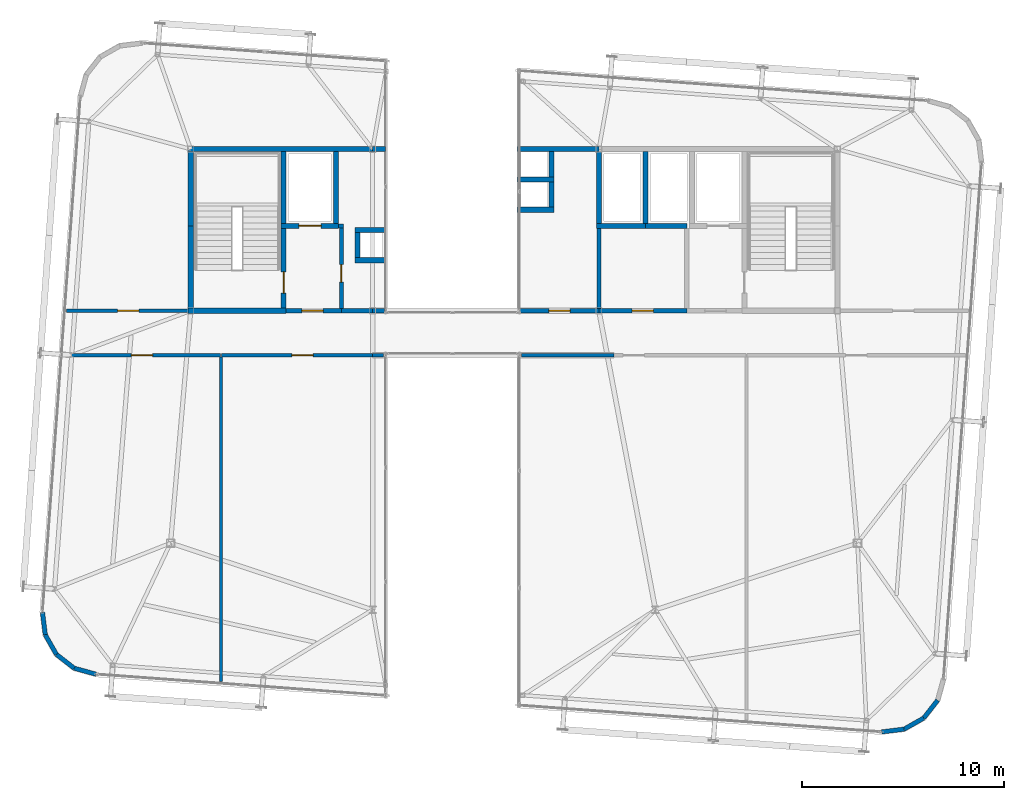
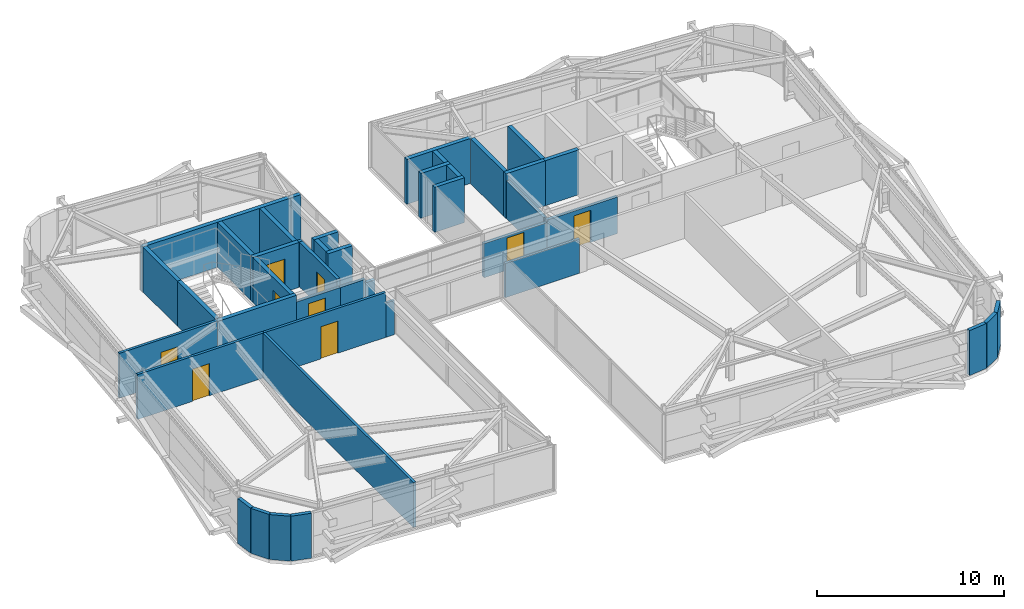
# One storey, part 36 of 39: 42 walls, 9 doors, 9 openings.
"""IFC4 building model written with IfcOpenShell, lengths in metres."""

from ifc_helpers import new_model, si_unit, direction, frame, frame_2d, origin, place, context, subcontext, project, spatial, rectangle, extrude, source, transform, mapped, material, layer, layer_set, type_object, element, fill, save


model = new_model("IFC4")

# Units and contexts
model_context = context("Model", 3, precision=1e-05, world=origin(), true_north=direction((0.0, 1.0)))
body_context = subcontext(model_context, "Body", "Model", "MODEL_VIEW")
ifc_project = project(units=[si_unit("LENGTHUNIT", "METRE"), si_unit("AREAUNIT", "SQUARE_METRE"), si_unit("VOLUMEUNIT", "CUBIC_METRE"), si_unit("PLANEANGLEUNIT", "RADIAN"), si_unit("MASSUNIT", "GRAM", prefix="KILO")], contexts=[model_context])

# Site, building, storey
site_placement = place(None, origin())
site = spatial("IfcSite", under=ifc_project, at=site_placement, CompositionType="ELEMENT")
building_placement = place(site_placement, origin())
building = spatial("IfcBuilding", under=site, at=building_placement, Name="Taldren Reach Tower", CompositionType="ELEMENT")
storey_placement = place(building_placement, frame((0.0, 0.0, 230.300048828125)))
storey = spatial("IfcBuildingStorey", under=building, at=storey_placement, Name="L70", CompositionType="ELEMENT", Elevation=230.300048828125)

# Walls
ifc_material_1 = material(Name="Pale Champagne Anodised Aluminium Cladding", Category="aluminium")
ifc_layer_1 = layer(ifc_material_1, 0.04, Name="Pale Champagne Anodised Aluminium Cladding", Category="aluminium")
ifc_material_2 = material(Name="Mineral Wool Acoustic Insulation", Category="insulation")
ifc_layer_2 = layer(ifc_material_2, 0.06, Name="Mineral Wool Acoustic Insulation", Category="insulation")
ifc_material_3 = material(Name="Steel Gr 350 (C350L0)", Category="steel")
ifc_layer_3 = layer(ifc_material_3, 0.12, Name="Steel Gr 350 (C350L0)", Category="steel")
ifc_layer_set_1 = layer_set([ifc_layer_1, ifc_layer_2, ifc_layer_3], Name="Pale Champagne Aluminium Cladding and Steel Gr 350 Stud Framing")
wall_type_1 = type_object("IfcWallType", Name="EW-CRN-220", PredefinedType="SOLIDWALL", material=ifc_layer_set_1)
shared_shape_1 = source(origin(), body_context, "Body", "SweptSolid", [
    extrude(rectangle(XDim=1.115966796875, YDim=0.219970703125, at=frame_2d((0.55810546875, 0.0))), origin(), (0.0, 0.0, 1.0), 2.929931640625),
])
for number, where, z_axis, x_axis, name in (
    (1, (53.20068359375, 3.15380859375, 0.0), (0.0, 0.0, 1.0), (0.992438604032, 0.122742076028, 0.0), "Rounded-corner pale-metal facade wall L70-SE1"),
    (2, (55.279052734375, 3.84130859375, 0.0), (0.0, 0.0, 1.0), (0.615015475096, 0.788515038152, 0.0), "Rounded-corner pale-metal facade wall L70-SE3"),
    (3, (11.66259765625, 9.072021484375, 0.0), (0.0, 0.0, 1.0), (0.122742076028, -0.992438604032, 0.0), "Rounded-corner pale-metal facade wall L70-SW1"),
    (4, (11.799560546875, 7.964599609375, 0.0), (0.0, 0.0, 1.0), (0.493073284892, -0.869987779067, 0.0), "Rounded-corner pale-metal facade wall L70-SW2"),
    (5, (12.349853515625, 6.99365234375, 0.0), (0.0, 0.0, 1.0), (0.788597772321, -0.614909386406, 0.0), "Rounded-corner pale-metal facade wall L70-SW3"),
):
    element("IfcWall", number, at=place(storey_placement, frame(where, z_axis=z_axis, x_axis=x_axis)), inside=storey, type_object=wall_type_1, Name=name, PredefinedType="SOLIDWALL", context=body_context, shape_type="MappedRepresentation", body=[
        mapped(shared_shape_1, transform((0.0, 0.0, 0.0), scale=1.0)),
    ])
shared_shape_2 = source(origin(), body_context, "Body", "SweptSolid", [
    extrude(rectangle(XDim=1.11572265625, YDim=0.219970703125, at=frame_2d((0.557861328125, 0.0))), origin(), (0.0, 0.0, 1.0), 2.929931640625),
])
wall_1_placement = place(storey_placement, frame((13.22998046875, 6.307373046875, 0.0), z_axis=(0.0, 0.0, 1.0), x_axis=(0.963890028874, -0.266300605026, 0.0)))
element("IfcWall", 6, at=wall_1_placement, inside=storey, type_object=wall_type_1, Name="Rounded-corner pale-metal facade wall L70-SW4", PredefinedType="SOLIDWALL", context=body_context, shape_type="MappedRepresentation", body=[
    mapped(shared_shape_2, transform((0.0, 0.0, 0.0), scale=1.0)),
])
shared_shape_3 = source(origin(), body_context, "Body", "SweptSolid", [
    extrude(rectangle(XDim=1.1162109375, YDim=0.219970703125, at=frame_2d((0.55810546875, 0.0))), origin(), (0.0, 0.0, 1.0), 2.929931640625),
])
wall_2_placement = place(storey_placement, frame((54.30810546875, 3.290771484375, 0.0), z_axis=(0.0, 0.0, 1.0), x_axis=(0.869893934693, 0.49323882895, 0.0)))
element("IfcWall", 7, at=wall_2_placement, inside=storey, type_object=wall_type_1, Name="Rounded-corner pale-metal facade wall L70-SE2", PredefinedType="SOLIDWALL", context=body_context, shape_type="MappedRepresentation", body=[
    mapped(shared_shape_3, transform((0.0, 0.0, 0.0), scale=1.0)),
])

# Wall, opening, door
ifc_material_4 = material(Name="Concrete S50 (50 MPa)", Category="concrete")
ifc_layer_4 = layer(ifc_material_4, 0.199951171875)
ifc_layer_set_2 = layer_set([ifc_layer_4], Name="Concrete S50 (50 MPa)")
wall_type_2 = type_object("IfcWallType", Name="IW-CORE-200", PredefinedType="SOLIDWALL", material=ifc_layer_set_2)
shared_shape_4 = source(origin(), body_context, "Body", "SweptSolid", [
    extrude(rectangle(XDim=4.35009765625, YDim=0.199951171875, at=frame_2d((2.175048828125, 0.0))), origin(), (0.0, 0.0, 1.0), 2.39697265625),
])
wall_3_placement = place(storey_placement, frame((43.550048828125, 24.0, 0.0), z_axis=(0.0, 0.0, 1.0), x_axis=(-1.0, 0.0, 0.0)))
wall_3 = element("IfcWall", 8, at=wall_3_placement, inside=storey, type_object=wall_type_2, Name="Rear Core Shear Wall W-INT-L70-029", PredefinedType="SOLIDWALL", context=body_context, shape_type="MappedRepresentation", body=[
    mapped(shared_shape_4, transform((0.0, 0.0, 0.0), scale=1.0)),
])
shared_shape_5 = source(origin(), body_context, "Body", "SweptSolid", [
    extrude(rectangle(XDim=1.050048828125, YDim=2.10009765625, at=frame_2d((0.52490234375, 1.050048828125))), frame((0.0, 0.10986328125, 0.0), z_axis=(0.0, -1.0, 0.0), x_axis=(1.0, 0.0, 0.0)), (0.0, 0.0, 1.0), 0.219970703125),
])
opening_1_placement = place(wall_3_placement, frame((1.64990234375, 0.0, 0.0)))
opening_1 = element("IfcOpeningElement", 9, at=opening_1_placement, cuts=wall_3, Name="Opening DF-105", PredefinedType="OPENING", context=body_context, shape_type="MappedRepresentation", body=[
    mapped(shared_shape_5, transform((0.0, 0.0, 0.0), scale=1.0)),
])
ifc_material_5 = material(Name="Fire-Rated Care and Stair Exit Door")
door_type_1 = type_object("IfcDoorType", Name="ID-FIRE-105", OperationType="NOTDEFINED", PredefinedType="DOOR", material=ifc_material_5)
shared_shape_6 = source(origin(), body_context, "Body", "SweptSolid", [
    extrude(rectangle(XDim=1.050048828125, YDim=2.10009765625, at=frame_2d((0.52490234375, 1.050048828125))), frame((0.0, 0.02490234375, 0.0), z_axis=(0.0, -1.0, 0.0), x_axis=(1.0, 0.0, 0.0)), (0.0, 0.0, 1.0), 0.050048828125),
])
door_1_placement = place(opening_1_placement, frame((1.050048828125, 0.0, 0.0), z_axis=(0.0, 0.0, 1.0), x_axis=(-1.0, 0.0, 0.0)))
door_1 = element("IfcDoor", 10, at=door_1_placement, inside=storey, type_object=door_type_1, Name="Interior Door DR-L70-006", OperationType="SINGLE_SWING_RIGHT", OverallHeight=2.10009765625, OverallWidth=1.050048828125, PredefinedType="DOOR", context=body_context, shape_type="MappedRepresentation", body=[
    mapped(shared_shape_6, transform((0.0, 0.0, 0.0), scale=1.0)),
])
fill(opening_1, door_1)

shared_shape_7 = source(origin(), body_context, "Body", "SweptSolid", [
    extrude(rectangle(XDim=4.0, YDim=0.199951171875, at=frame_2d((2.0, 0.0))), origin(), (0.0, 0.0, 1.0), 2.929931640625),
])
wall_4_placement = place(storey_placement, frame((26.449951171875, 24.10009765625, 0.0), z_axis=(0.0, 0.0, 1.0), x_axis=(0.0, 1.0, 0.0)))
wall_4 = element("IfcWall", 11, at=wall_4_placement, inside=storey, type_object=wall_type_2, Name="Rear Core Shear Wall W-INT-L70-006", PredefinedType="SOLIDWALL", context=body_context, shape_type="MappedRepresentation", body=[
    mapped(shared_shape_7, transform((0.0, 0.0, 0.0), scale=1.0)),
])
shared_shape_8 = source(origin(), body_context, "Body", "SweptSolid", [
    extrude(rectangle(XDim=0.860107421875, YDim=2.10009765625, at=frame_2d((0.43017578125, 1.050048828125))), frame((0.0, 0.10986328125, 0.0), z_axis=(0.0, -1.0, 0.0), x_axis=(1.0, 0.0, 0.0)), (0.0, 0.0, 1.0), 0.219970703125),
])
opening_2_placement = place(wall_4_placement, frame((1.320068359375, 0.0, 0.0)))
opening_2 = element("IfcOpeningElement", 12, at=opening_2_placement, cuts=wall_4, Name="Opening DI-086", PredefinedType="OPENING", context=body_context, shape_type="MappedRepresentation", body=[
    mapped(shared_shape_8, transform((0.0, 0.0, 0.0), scale=1.0)),
])
ifc_material_6 = material(Name="Timber Bathroom Door", Category="wood")
door_type_2 = type_object("IfcDoorType", Name="ID-INT-086", OperationType="NOTDEFINED", PredefinedType="DOOR", material=ifc_material_6)
shared_shape_9 = source(origin(), body_context, "Body", "SweptSolid", [
    extrude(rectangle(XDim=0.860107421875, YDim=2.10009765625, at=frame_2d((0.43017578125, 1.050048828125))), frame((0.0, 0.02490234375, 0.0), z_axis=(0.0, -1.0, 0.0), x_axis=(1.0, 0.0, 0.0)), (0.0, 0.0, 1.0), 0.050048828125),
])
door_2_placement = place(opening_2_placement, frame((0.860107421875, 0.0, 0.0), z_axis=(0.0, 0.0, 1.0), x_axis=(-1.0, 0.0, 0.0)))
door_2 = element("IfcDoor", 13, at=door_2_placement, inside=storey, type_object=door_type_2, Name="Interior Door DR-L70-013", OperationType="SINGLE_SWING_RIGHT", OverallHeight=2.10009765625, OverallWidth=0.860107421875, PredefinedType="DOOR", context=body_context, shape_type="MappedRepresentation", body=[
    mapped(shared_shape_9, transform((0.0, 0.0, 0.0), scale=1.0)),
])
fill(opening_2, door_2)

# Walls
ifc_material_7 = material(Name="Concrete S65 (65 MPa)", Category="concrete")
ifc_layer_5 = layer(ifc_material_7, 0.25)
ifc_layer_set_3 = layer_set([ifc_layer_5], Name="Concrete S65 (65 MPa)")
wall_type_3 = type_object("IfcWallType", Name="IW-CORE-250", PredefinedType="SHEAR", material=ifc_layer_set_3)
shared_shape_10 = source(origin(), body_context, "Body", "SweptSolid", [
    extrude(rectangle(XDim=9.125, YDim=0.25, at=frame_2d((4.5625, 0.0))), origin(), (0.0, 0.0, 1.0), 2.929931640625),
])
wall_5_placement = place(storey_placement, frame((18.875, 32.0, 0.0), z_axis=(0.0, 0.0, 1.0), x_axis=(1.0, 0.0, 0.0)))
element("IfcWall", 14, at=wall_5_placement, inside=storey, type_object=wall_type_3, Name="Rear Core Shear Wall W-CORE-L70-NORTH1", PredefinedType="SHEAR", context=body_context, shape_type="MappedRepresentation", body=[
    mapped(shared_shape_10, transform((0.0, 0.0, 0.0), scale=1.0)),
])
shared_shape_11 = source(origin(), body_context, "Body", "SweptSolid", [
    extrude(rectangle(XDim=4.074951171875, YDim=0.25, at=frame_2d((2.03759765625, 0.0))), origin(), (0.0, 0.0, 1.0), 2.929931640625),
])
wall_6_placement = place(storey_placement, frame((19.0, 24.125, 0.0), z_axis=(0.0, 0.0, 1.0), x_axis=(0.0, 1.0, 0.0)))
element("IfcWall", 15, at=wall_6_placement, inside=storey, type_object=wall_type_3, Name="Rear Core Shear Wall W-CORE-L70-WEST1", PredefinedType="SHEAR", context=body_context, shape_type="MappedRepresentation", body=[
    mapped(shared_shape_11, transform((0.0, 0.0, 0.0), scale=1.0)),
])
shared_shape_12 = source(origin(), body_context, "Body", "SweptSolid", [
    extrude(rectangle(XDim=3.675048828125, YDim=0.25, at=frame_2d((1.83740234375, 0.0))), origin(), (0.0, 0.0, 1.0), 2.929931640625),
])
wall_7_placement = place(storey_placement, frame((19.0, 28.199951171875, 0.0), z_axis=(0.0, 0.0, 1.0), x_axis=(0.0, 1.0, 0.0)))
element("IfcWall", 16, at=wall_7_placement, inside=storey, type_object=wall_type_3, Name="Rear Core Shear Wall W-CORE-L70-WEST2", PredefinedType="SHEAR", context=body_context, shape_type="MappedRepresentation", body=[
    mapped(shared_shape_12, transform((0.0, 0.0, 0.0), scale=1.0)),
])
shared_shape_13 = source(origin(), body_context, "Body", "SweptSolid", [
    extrude(rectangle(XDim=3.550048828125, YDim=0.25, at=frame_2d((1.77490234375, 0.0))), origin(), (0.0, 0.0, 1.0), 2.929931640625),
])
for number, where, z_axis, x_axis, name in (
    (17, (23.60009765625, 28.324951171875, 0.0), (0.0, 0.0, 1.0), (0.0, 1.0, 0.0), "Rear Core Shear Wall W-INT-L70-001"),
    (18, (26.199951171875, 28.324951171875, 0.0), (0.0, 0.0, 1.0), (0.0, 1.0, 0.0), "Rear Core Shear Wall W-INT-L70-005"),
    (19, (41.5, 28.324951171875, 0.0), (0.0, 0.0, 1.0), (0.0, 1.0, 0.0), "Rear Core Shear Wall W-INT-L70-023"),
    (20, (39.199951171875, 31.875, 0.0), (0.0, 0.0, 1.0), (0.0, -1.0, 0.0), "Rear Core Shear Wall W-INT-L70-024"),
):
    element("IfcWall", number, at=place(storey_placement, frame(where, z_axis=z_axis, x_axis=x_axis)), inside=storey, type_object=wall_type_3, Name=name, PredefinedType="SHEAR", context=body_context, shape_type="MappedRepresentation", body=[
        mapped(shared_shape_13, transform((0.0, 0.0, 0.0), scale=1.0)),
    ])

# Wall, opening, door
shared_shape_14 = source(origin(), body_context, "Body", "SweptSolid", [
    extrude(rectangle(XDim=3.949951171875, YDim=0.25, at=frame_2d((1.97509765625, 0.0))), origin(), (0.0, 0.0, 1.0), 2.929931640625),
])
wall_8_placement = place(storey_placement, frame((23.60009765625, 24.125, 0.0), z_axis=(0.0, 0.0, 1.0), x_axis=(0.0, 1.0, 0.0)))
wall_8 = element("IfcWall", 21, at=wall_8_placement, inside=storey, type_object=wall_type_3, Name="Rear Core Shear Wall W-INT-L70-002", PredefinedType="SHEAR", context=body_context, shape_type="MappedRepresentation", body=[
    mapped(shared_shape_14, transform((0.0, 0.0, 0.0), scale=1.0)),
])
shared_shape_15 = source(origin(), body_context, "Body", "SweptSolid", [
    extrude(rectangle(XDim=1.050048828125, YDim=2.10009765625, at=frame_2d((0.52490234375, 1.050048828125))), frame((0.0, 0.135009765625, 0.0), z_axis=(0.0, -1.0, 0.0), x_axis=(1.0, 0.0, 0.0)), (0.0, 0.0, 1.0), 0.27001953125),
])
opening_3_placement = place(wall_8_placement, frame((0.75, 0.0, 0.0)))
opening_3 = element("IfcOpeningElement", 22, at=opening_3_placement, cuts=wall_8, Name="Opening DF-105", PredefinedType="OPENING", context=body_context, shape_type="MappedRepresentation", body=[
    mapped(shared_shape_15, transform((0.0, 0.0, 0.0), scale=1.0)),
])
door_3_placement = place(opening_3_placement, origin())
door_3 = element("IfcDoor", 23, at=door_3_placement, inside=storey, type_object=door_type_1, Name="Fire Exit Stair Door DR-L70-001", OperationType="SINGLE_SWING_LEFT", OverallHeight=2.10009765625, OverallWidth=1.050048828125, PredefinedType="DOOR", context=body_context, shape_type="MappedRepresentation", body=[
    mapped(shared_shape_6, transform((0.0, 0.0, 0.0), scale=1.0)),
])
fill(opening_3, door_3)

# Wall
shared_shape_16 = source(origin(), body_context, "Body", "SweptSolid", [
    extrude(rectangle(XDim=4.85009765625, YDim=0.25, at=frame_2d((2.425048828125, 0.0))), origin(), (0.0, 0.0, 1.0), 2.929931640625),
])
wall_9_placement = place(storey_placement, frame((18.875, 24.0, 0.0), z_axis=(0.0, 0.0, 1.0), x_axis=(1.0, 0.0, 0.0)))
element("IfcWall", 24, at=wall_9_placement, inside=storey, type_object=wall_type_3, Name="Rear Core Shear Wall W-INT-L70-003", PredefinedType="SHEAR", context=body_context, shape_type="MappedRepresentation", body=[
    mapped(shared_shape_16, transform((0.0, 0.0, 0.0), scale=1.0)),
])

# Wall, opening, door
shared_shape_17 = source(origin(), body_context, "Body", "SweptSolid", [
    extrude(rectangle(XDim=2.849853515625, YDim=0.25, at=frame_2d((1.4248046875, 0.0))), origin(), (0.0, 0.0, 1.0), 2.929931640625),
])
wall_10_placement = place(storey_placement, frame((23.47509765625, 28.199951171875, 0.0), z_axis=(0.0, 0.0, 1.0), x_axis=(1.0, 0.0, 0.0)))
wall_10 = element("IfcWall", 25, at=wall_10_placement, inside=storey, type_object=wall_type_3, Name="Rear Core Shear Wall W-INT-L70-004", PredefinedType="SHEAR", context=body_context, shape_type="MappedRepresentation", body=[
    mapped(shared_shape_17, transform((0.0, 0.0, 0.0), scale=1.0)),
])
shared_shape_18 = source(origin(), body_context, "Body", "SweptSolid", [
    extrude(rectangle(XDim=1.10009765625, YDim=2.14990234375, at=frame_2d((0.550048828125, 1.074951171875))), frame((0.0, 0.135009765625, 0.0), z_axis=(0.0, -1.0, 0.0), x_axis=(1.0, 0.0, 0.0)), (0.0, 0.0, 1.0), 0.27001953125),
])
opening_4_placement = place(wall_10_placement, frame((0.875, 0.0, 0.0)))
opening_4 = element("IfcOpeningElement", 26, at=opening_4_placement, cuts=wall_10, Name="Opening LD-FL1", PredefinedType="OPENING", context=body_context, shape_type="MappedRepresentation", body=[
    mapped(shared_shape_18, transform((0.0, 0.0, 0.0), scale=1.0)),
])
ifc_material_8 = material(Name="Stainless Steel Gr 316 Emergency Lift Landing Door", Category="steel")
door_type_3 = type_object("IfcDoorType", Name="LD-EMG-110", OperationType="SLIDING_TO_LEFT", PredefinedType="DOOR", material=ifc_material_8)
shared_shape_19 = source(origin(), body_context, "Body", "SweptSolid", [
    extrude(rectangle(XDim=1.10009765625, YDim=2.14990234375, at=frame_2d((0.550048828125, 1.074951171875))), frame((0.0, 0.02490234375, 0.0), z_axis=(0.0, -1.0, 0.0), x_axis=(1.0, 0.0, 0.0)), (0.0, 0.0, 1.0), 0.050048828125),
])
door_4_placement = place(opening_4_placement, origin())
door_4 = element("IfcDoor", 27, at=door_4_placement, inside=storey, type_object=door_type_3, Name="Lift Landing Door LD-FL1-L70", OperationType="SLIDING_TO_LEFT", OverallHeight=2.14990234375, OverallWidth=1.10009765625, PredefinedType="DOOR", context=body_context, shape_type="MappedRepresentation", body=[
    mapped(shared_shape_19, transform((0.0, 0.0, 0.0), scale=1.0)),
])
fill(opening_4, door_4)

shared_shape_20 = source(origin(), body_context, "Body", "SweptSolid", [
    extrude(rectangle(XDim=2.724853515625, YDim=0.199951171875, at=frame_2d((1.3623046875, 0.0))), origin(), (0.0, 0.0, 1.0), 2.469970703125),
])
wall_11_placement = place(storey_placement, frame((23.72509765625, 24.0, 0.0), z_axis=(0.0, 0.0, 1.0), x_axis=(1.0, 0.0, 0.0)))
wall_11 = element("IfcWall", 28, at=wall_11_placement, inside=storey, type_object=wall_type_2, Name="Rear Core Shear Wall W-INT-L70-007", PredefinedType="SOLIDWALL", context=body_context, shape_type="MappedRepresentation", body=[
    mapped(shared_shape_20, transform((0.0, 0.0, 0.0), scale=1.0)),
])
opening_5_placement = place(wall_11_placement, frame((0.77490234375, 0.0, 0.0)))
opening_5 = element("IfcOpeningElement", 29, at=opening_5_placement, cuts=wall_11, Name="Opening DF-105", PredefinedType="OPENING", context=body_context, shape_type="MappedRepresentation", body=[
    mapped(shared_shape_5, transform((0.0, 0.0, 0.0), scale=1.0)),
])
door_5_placement = place(opening_5_placement, origin())
door_5 = element("IfcDoor", 30, at=door_5_placement, inside=storey, type_object=door_type_1, Name="Interior Door DR-L70-002", OperationType="SINGLE_SWING_LEFT", OverallHeight=2.10009765625, OverallWidth=1.050048828125, PredefinedType="DOOR", context=body_context, shape_type="MappedRepresentation", body=[
    mapped(shared_shape_6, transform((0.0, 0.0, 0.0), scale=1.0)),
])
fill(opening_5, door_5)

# Walls
shared_shape_21 = source(origin(), body_context, "Body", "SweptSolid", [
    extrude(rectangle(XDim=1.25, YDim=0.25, at=frame_2d((0.625, 0.0))), origin(), (0.0, 0.0, 1.0), 2.929931640625),
])
for number, where, z_axis, x_axis, name in (
    (31, (36.85009765625, 30.625, 0.0), (0.0, 0.0, 1.0), (0.0, 1.0, 0.0), "Rear Core Shear Wall W-INT-L70-016"),
    (32, (36.85009765625, 29.125, 0.0), (0.0, 0.0, 1.0), (0.0, 1.0, 0.0), "Rear Core Shear Wall W-INT-L70-018"),
    (33, (27.25, 27.875, 0.0), (0.0, 0.0, 1.0), (0.0, -1.0, 0.0), "Rear Core Shear Wall W-INT-L70-019"),
):
    element("IfcWall", number, at=place(storey_placement, frame(where, z_axis=z_axis, x_axis=x_axis)), inside=storey, type_object=wall_type_3, Name=name, PredefinedType="SHEAR", context=body_context, shape_type="MappedRepresentation", body=[
        mapped(shared_shape_21, transform((0.0, 0.0, 0.0), scale=1.0)),
    ])
shared_shape_22 = source(origin(), body_context, "Body", "SweptSolid", [
    extrude(rectangle(XDim=2.425048828125, YDim=0.25, at=frame_2d((1.21240234375, 0.0))), origin(), (0.0, 0.0, 1.0), 2.929931640625),
])
wall_12_placement = place(storey_placement, frame((39.074951171875, 28.199951171875, 0.0), z_axis=(0.0, 0.0, 1.0), x_axis=(1.0, 0.0, 0.0)))
element("IfcWall", 34, at=wall_12_placement, inside=storey, type_object=wall_type_3, Name="Rear Core Shear Wall W-INT-L70-025", PredefinedType="SHEAR", context=body_context, shape_type="MappedRepresentation", body=[
    mapped(shared_shape_22, transform((0.0, 0.0, 0.0), scale=1.0)),
])
shared_shape_23 = source(origin(), body_context, "Body", "SweptSolid", [
    extrude(rectangle(XDim=2.070068359375, YDim=0.25, at=frame_2d((1.03515625, 0.0))), origin(), (0.0, 0.0, 1.0), 2.929931640625),
])
wall_13_placement = place(storey_placement, frame((41.5, 28.199951171875, 0.0), z_axis=(0.0, 0.0, 1.0), x_axis=(1.0, 0.0, 0.0)))
element("IfcWall", 35, at=wall_13_placement, inside=storey, type_object=wall_type_3, Name="Rear Core Shear Wall W-INT-L70-026", PredefinedType="SHEAR", context=body_context, shape_type="MappedRepresentation", body=[
    mapped(shared_shape_23, transform((0.0, 0.0, 0.0), scale=1.0)),
])
shared_shape_24 = source(origin(), body_context, "Body", "SweptSolid", [
    extrude(rectangle(XDim=0.22509765625, YDim=0.199951171875, at=frame_2d((0.112548828125, 0.0))), origin(), (0.0, 0.0, 1.0), 2.929931640625),
])
wall_14_placement = place(storey_placement, frame((26.324951171875, 28.199951171875, 0.0), z_axis=(0.0, 0.0, 1.0), x_axis=(1.0, 0.0, 0.0)))
element("IfcWall", 36, at=wall_14_placement, inside=storey, type_object=wall_type_2, Name="Rear Core Partition Wall W-INT-L70-038", PredefinedType="SOLIDWALL", context=body_context, shape_type="MappedRepresentation", body=[
    mapped(shared_shape_24, transform((0.0, 0.0, 0.0), scale=1.0)),
])
shared_shape_25 = source(origin(), body_context, "Body", "SweptSolid", [
    extrude(rectangle(XDim=3.974853515625, YDim=0.199951171875, at=frame_2d((1.9873046875, 0.0))), origin(), (0.0, 0.0, 1.0), 2.469970703125),
])
wall_15_placement = place(storey_placement, frame((39.199951171875, 28.074951171875, 0.0), z_axis=(0.0, 0.0, 1.0), x_axis=(0.0, -1.0, 0.0)))
element("IfcWall", 37, at=wall_15_placement, inside=storey, type_object=wall_type_2, Name="Rear Core Shear Wall W-INT-L70-027", PredefinedType="SOLIDWALL", context=body_context, shape_type="MappedRepresentation", body=[
    mapped(shared_shape_25, transform((0.0, 0.0, 0.0), scale=1.0)),
])

# Wall, opening, door
ifc_material_9 = material(Name="Fire-Rated Acoustic Plasterboard Stud Wall", Category="gypsum")
ifc_layer_6 = layer(ifc_material_9, 0.159912109375)
ifc_layer_set_4 = layer_set([ifc_layer_6], Name="Fire-Rated Acoustic Plasterboard Stud Wall")
wall_type_4 = type_object("IfcWallType", Name="IW-FIRE-160", PredefinedType="PARTITIONING", material=ifc_layer_set_4)
shared_shape_26 = source(origin(), body_context, "Body", "SweptSolid", [
    extrude(rectangle(XDim=6.03173828125, YDim=0.159912109375, at=frame_2d((3.015869140625, 0.0))), origin(), (0.0, 0.0, 1.0), 2.929931640625),
])
wall_16_placement = place(storey_placement, frame((12.84326171875, 24.0, 0.0), z_axis=(0.0, 0.0, 1.0), x_axis=(1.0, 0.0, 0.0)))
wall_16 = element("IfcWall", 38, at=wall_16_placement, inside=storey, type_object=wall_type_4, Name="Interior Partition Wall W-INT-L70-030", PredefinedType="PARTITIONING", context=body_context, shape_type="MappedRepresentation", body=[
    mapped(shared_shape_26, transform((0.0, 0.0, 0.0), scale=1.0)),
])
shared_shape_27 = source(origin(), body_context, "Body", "SweptSolid", [
    extrude(rectangle(XDim=1.050048828125, YDim=2.10009765625, at=frame_2d((0.52490234375, 1.050048828125))), frame((0.0, 0.08984375, 0.0), z_axis=(0.0, -1.0, 0.0), x_axis=(1.0, 0.0, 0.0)), (0.0, 0.0, 1.0), 0.179931640625),
])
opening_6_placement = place(wall_16_placement, frame((2.543212890625, 0.0, 0.0)))
opening_6 = element("IfcOpeningElement", 39, at=opening_6_placement, cuts=wall_16, Name="Opening DF-105", PredefinedType="OPENING", context=body_context, shape_type="MappedRepresentation", body=[
    mapped(shared_shape_27, transform((0.0, 0.0, 0.0), scale=1.0)),
])
door_6_placement = place(opening_6_placement, origin())
door_6 = element("IfcDoor", 40, at=door_6_placement, inside=storey, type_object=door_type_1, Name="Interior Door DR-L70-007", OperationType="SINGLE_SWING_RIGHT", OverallHeight=2.10009765625, OverallWidth=1.050048828125, PredefinedType="DOOR", context=body_context, shape_type="MappedRepresentation", body=[
    mapped(shared_shape_6, transform((0.0, 0.0, 0.0), scale=1.0)),
])
fill(opening_6, door_6)

# Walls
shared_shape_28 = source(origin(), body_context, "Body", "SweptSolid", [
    extrude(rectangle(XDim=1.550048828125, YDim=0.199951171875, at=frame_2d((0.77490234375, 0.0))), origin(), (0.0, 0.0, 1.0), 2.469970703125),
])
wall_17_placement = place(storey_placement, frame((28.0, 24.0, 0.0), z_axis=(0.0, 0.0, 1.0), x_axis=(-1.0, 0.0, 0.0)))
element("IfcWall", 41, at=wall_17_placement, inside=storey, type_object=wall_type_2, Name="Rear Core Shear Wall W-INT-L70-022 part 2", PredefinedType="SOLIDWALL", context=body_context, shape_type="MappedRepresentation", body=[
    mapped(shared_shape_28, transform((0.0, 0.0, 0.0), scale=1.0)),
])
shared_shape_29 = source(origin(), body_context, "Body", "SweptSolid", [
    extrude(rectangle(XDim=0.639892578125, YDim=0.25, at=frame_2d((0.31982421875, 0.0))), origin(), (0.0, 0.0, 1.0), 2.929931640625),
])
wall_18_placement = place(storey_placement, frame((28.0, 32.0, 0.0), z_axis=(0.0, 0.0, 1.0), x_axis=(1.0, 0.0, 0.0)))
element("IfcWall", 42, at=wall_18_placement, inside=storey, type_object=wall_type_3, Name="Rear Core Shear Wall W-CORE-L70-NORTH2", PredefinedType="SHEAR", context=body_context, shape_type="MappedRepresentation", body=[
    mapped(shared_shape_29, transform((0.0, 0.0, 0.0), scale=1.0)),
])
shared_shape_30 = source(origin(), body_context, "Body", "SweptSolid", [
    extrude(rectangle(XDim=4.050048828125, YDim=0.25, at=frame_2d((2.02490234375, 0.0))), origin(), (0.0, 0.0, 1.0), 2.929931640625),
])
wall_19_placement = place(storey_placement, frame((35.14990234375, 32.0, 0.0), z_axis=(0.0, 0.0, 1.0), x_axis=(1.0, 0.0, 0.0)))
element("IfcWall", 43, at=wall_19_placement, inside=storey, type_object=wall_type_3, Name="Rear Core Shear Wall W-CORE-L70-NORTH3", PredefinedType="SHEAR", context=body_context, shape_type="MappedRepresentation", body=[
    mapped(shared_shape_30, transform((0.0, 0.0, 0.0), scale=1.0)),
])
shared_shape_31 = source(origin(), body_context, "Body", "SweptSolid", [
    extrude(rectangle(XDim=1.8251953125, YDim=0.25, at=frame_2d((0.91259765625, 0.0))), origin(), (0.0, 0.0, 1.0), 2.929931640625),
])
for number, where, z_axis, x_axis, name in (
    (44, (35.14990234375, 30.5, 0.0), (0.0, 0.0, 1.0), (1.0, 0.0, 0.0), "Rear Core Shear Wall W-INT-L70-015"),
    (45, (35.14990234375, 29.0, 0.0), (0.0, 0.0, 1.0), (1.0, 0.0, 0.0), "Rear Core Shear Wall W-INT-L70-017"),
):
    element("IfcWall", number, at=place(storey_placement, frame(where, z_axis=z_axis, x_axis=x_axis)), inside=storey, type_object=wall_type_3, Name=name, PredefinedType="SHEAR", context=body_context, shape_type="MappedRepresentation", body=[
        mapped(shared_shape_31, transform((0.0, 0.0, 0.0), scale=1.0)),
    ])
shared_shape_32 = source(origin(), body_context, "Body", "SweptSolid", [
    extrude(rectangle(XDim=1.514892578125, YDim=0.25, at=frame_2d((0.75732421875, 0.0))), origin(), (0.0, 0.0, 1.0), 2.929931640625),
])
for number, where, z_axis, x_axis, name in (
    (46, (28.639892578125, 28.0, 0.0), (0.0, 0.0, 1.0), (-1.0, 0.0, 0.0), "Rear Core Shear Wall W-INT-L70-020"),
    (47, (27.125, 26.5, 0.0), (0.0, 0.0, 1.0), (1.0, 0.0, 0.0), "Rear Core Shear Wall W-INT-L70-021"),
):
    element("IfcWall", number, at=place(storey_placement, frame(where, z_axis=z_axis, x_axis=x_axis)), inside=storey, type_object=wall_type_3, Name=name, PredefinedType="SHEAR", context=body_context, shape_type="MappedRepresentation", body=[
        mapped(shared_shape_32, transform((0.0, 0.0, 0.0), scale=1.0)),
    ])
shared_shape_33 = source(origin(), body_context, "Body", "SweptSolid", [
    extrude(rectangle(XDim=0.594482421875, YDim=0.199951171875, at=frame_2d((0.29736328125, 0.0))), origin(), (0.0, 0.0, 1.0), 2.22998046875),
])
wall_20_placement = place(storey_placement, frame((28.594482421875, 24.0, 0.0), z_axis=(0.0, 0.0, 1.0), x_axis=(-1.0, 0.0, 0.0)))
element("IfcWall", 48, at=wall_20_placement, inside=storey, type_object=wall_type_2, Name="Rear Core Shear Wall W-INT-L70-022", PredefinedType="SOLIDWALL", context=body_context, shape_type="MappedRepresentation", body=[
    mapped(shared_shape_33, transform((0.0, 0.0, 0.0), scale=1.0)),
])

# Wall, opening, door
shared_shape_34 = source(origin(), body_context, "Body", "SweptSolid", [
    extrude(rectangle(XDim=3.89453125, YDim=0.199951171875, at=frame_2d((1.947265625, 0.0))), origin(), (0.0, 0.0, 1.0), 2.22998046875),
])
wall_21_placement = place(storey_placement, frame((39.199951171875, 24.0, 0.0), z_axis=(0.0, 0.0, 1.0), x_axis=(-1.0, 0.0, 0.0)))
wall_21 = element("IfcWall", 49, at=wall_21_placement, inside=storey, type_object=wall_type_2, Name="Rear Core Shear Wall W-INT-L70-028", PredefinedType="SOLIDWALL", context=body_context, shape_type="MappedRepresentation", body=[
    mapped(shared_shape_34, transform((0.0, 0.0, 0.0), scale=1.0)),
])
opening_7_placement = place(wall_21_placement, frame((1.42236328125, 0.0, 0.0)))
opening_7 = element("IfcOpeningElement", 50, at=opening_7_placement, cuts=wall_21, Name="Opening DF-105", PredefinedType="OPENING", context=body_context, shape_type="MappedRepresentation", body=[
    mapped(shared_shape_5, transform((0.0, 0.0, 0.0), scale=1.0)),
])
door_7_placement = place(opening_7_placement, frame((1.050048828125, 0.0, 0.0), z_axis=(0.0, 0.0, 1.0), x_axis=(-1.0, 0.0, 0.0)))
door_7 = element("IfcDoor", 51, at=door_7_placement, inside=storey, type_object=door_type_1, Name="Interior Door DR-L70-005", OperationType="SINGLE_SWING_LEFT", OverallHeight=2.10009765625, OverallWidth=1.050048828125, PredefinedType="DOOR", context=body_context, shape_type="MappedRepresentation", body=[
    mapped(shared_shape_6, transform((0.0, 0.0, 0.0), scale=1.0)),
])
fill(opening_7, door_7)

shared_shape_35 = source(origin(), body_context, "Body", "SweptSolid", [
    extrude(rectangle(XDim=7.786376953125, YDim=0.159912109375, at=frame_2d((3.89306640625, 0.0))), origin(), (0.0, 0.0, 1.0), 2.929931640625),
])
wall_22_placement = place(storey_placement, frame((20.479736328125, 21.800048828125, 0.0), z_axis=(0.0, 0.0, 1.0), x_axis=(-1.0, 0.0, 0.0)))
wall_22 = element("IfcWall", 52, at=wall_22_placement, inside=storey, type_object=wall_type_4, Name="Interior Partition Wall W-INT-L70-032", PredefinedType="PARTITIONING", context=body_context, shape_type="MappedRepresentation", body=[
    mapped(shared_shape_35, transform((0.0, 0.0, 0.0), scale=1.0)),
])
opening_8_placement = place(wall_22_placement, frame((3.3681640625, 0.0, 0.0)))
opening_8 = element("IfcOpeningElement", 53, at=opening_8_placement, cuts=wall_22, Name="Opening DF-105", PredefinedType="OPENING", context=body_context, shape_type="MappedRepresentation", body=[
    mapped(shared_shape_27, transform((0.0, 0.0, 0.0), scale=1.0)),
])
door_8_placement = place(opening_8_placement, origin())
door_8 = element("IfcDoor", 54, at=door_8_placement, inside=storey, type_object=door_type_1, Name="Interior Door DR-L70-009", OperationType="SINGLE_SWING_RIGHT", OverallHeight=2.10009765625, OverallWidth=1.050048828125, PredefinedType="DOOR", context=body_context, shape_type="MappedRepresentation", body=[
    mapped(shared_shape_6, transform((0.0, 0.0, 0.0), scale=1.0)),
])
fill(opening_8, door_8)

# Wall
shared_shape_36 = source(origin(), body_context, "Body", "SweptSolid", [
    extrude(rectangle(XDim=0.534423828125, YDim=0.159912109375, at=frame_2d((0.26708984375, 0.0))), origin(), (0.0, 0.0, 1.0), 2.22998046875),
])
wall_23_placement = place(storey_placement, frame((28.534423828125, 21.800048828125, 0.0), z_axis=(0.0, 0.0, 1.0), x_axis=(-1.0, 0.0, 0.0)))
element("IfcWall", 55, at=wall_23_placement, inside=storey, type_object=wall_type_4, Name="Interior Partition Wall W-INT-L70-033", PredefinedType="PARTITIONING", context=body_context, shape_type="MappedRepresentation", body=[
    mapped(shared_shape_36, transform((0.0, 0.0, 0.0), scale=1.0)),
])

# Wall, opening, door
shared_shape_37 = source(origin(), body_context, "Body", "SweptSolid", [
    extrude(rectangle(XDim=7.479736328125, YDim=0.159912109375, at=frame_2d((3.73974609375, 0.0))), origin(), (0.0, 0.0, 1.0), 2.929931640625),
])
wall_24_placement = place(storey_placement, frame((28.0, 21.800048828125, 0.0), z_axis=(0.0, 0.0, 1.0), x_axis=(-1.0, 0.0, 0.0)))
wall_24 = element("IfcWall", 56, at=wall_24_placement, inside=storey, type_object=wall_type_4, Name="Interior Partition Wall W-INT-L70-033 part 2", PredefinedType="PARTITIONING", context=body_context, shape_type="MappedRepresentation", body=[
    mapped(shared_shape_37, transform((0.0, 0.0, 0.0), scale=1.0)),
])
opening_9_placement = place(wall_24_placement, frame((2.94775390625, 0.0, 0.0)))
opening_9 = element("IfcOpeningElement", 57, at=opening_9_placement, cuts=wall_24, Name="Opening DF-105", PredefinedType="OPENING", context=body_context, shape_type="MappedRepresentation", body=[
    mapped(shared_shape_27, transform((0.0, 0.0, 0.0), scale=1.0)),
])
door_9_placement = place(opening_9_placement, origin())
door_9 = element("IfcDoor", 58, at=door_9_placement, inside=storey, type_object=door_type_1, Name="Interior Door DR-L70-010", OperationType="SINGLE_SWING_LEFT", OverallHeight=2.10009765625, OverallWidth=1.050048828125, PredefinedType="DOOR", context=body_context, shape_type="MappedRepresentation", body=[
    mapped(shared_shape_6, transform((0.0, 0.0, 0.0), scale=1.0)),
])
fill(opening_9, door_9)

# Walls
shared_shape_38 = source(origin(), body_context, "Body", "SweptSolid", [
    extrude(rectangle(XDim=4.58447265625, YDim=0.159912109375, at=frame_2d((2.292236328125, 0.0))), origin(), (0.0, 0.0, 1.0), 2.22998046875),
])
wall_25_placement = place(storey_placement, frame((39.949951171875, 21.800048828125, 0.0), z_axis=(0.0, 0.0, 1.0), x_axis=(-1.0, 0.0, 0.0)))
element("IfcWall", 59, at=wall_25_placement, inside=storey, type_object=wall_type_4, Name="Interior Partition Wall W-INT-L70-034 part 2", PredefinedType="PARTITIONING", context=body_context, shape_type="MappedRepresentation", body=[
    mapped(shared_shape_38, transform((0.0, 0.0, 0.0), scale=1.0)),
])
shared_shape_39 = source(origin(), body_context, "Body", "SweptSolid", [
    extrude(rectangle(XDim=16.068603515625, YDim=0.159912109375, at=frame_2d((8.0341796875, 0.0))), origin(), (0.0, 0.0, 1.0), 2.929931640625),
])
wall_26_placement = place(storey_placement, frame((20.5, 21.719970703125, 0.0), z_axis=(0.0, 0.0, 1.0), x_axis=(0.0, -1.0, 0.0)))
element("IfcWall", 60, at=wall_26_placement, inside=storey, type_object=wall_type_4, Name="Interior Partition Wall W-INT-L70-036", PredefinedType="PARTITIONING", context=body_context, shape_type="MappedRepresentation", body=[
    mapped(shared_shape_39, transform((0.0, 0.0, 0.0), scale=1.0)),
])

save(model, "model.ifc")
